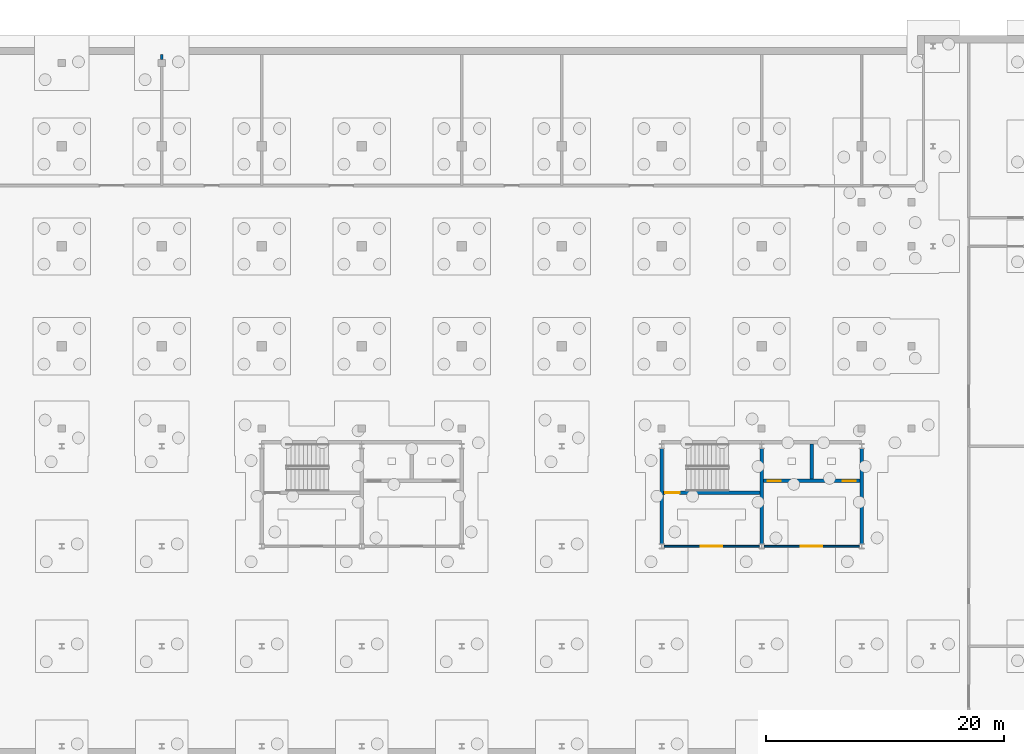
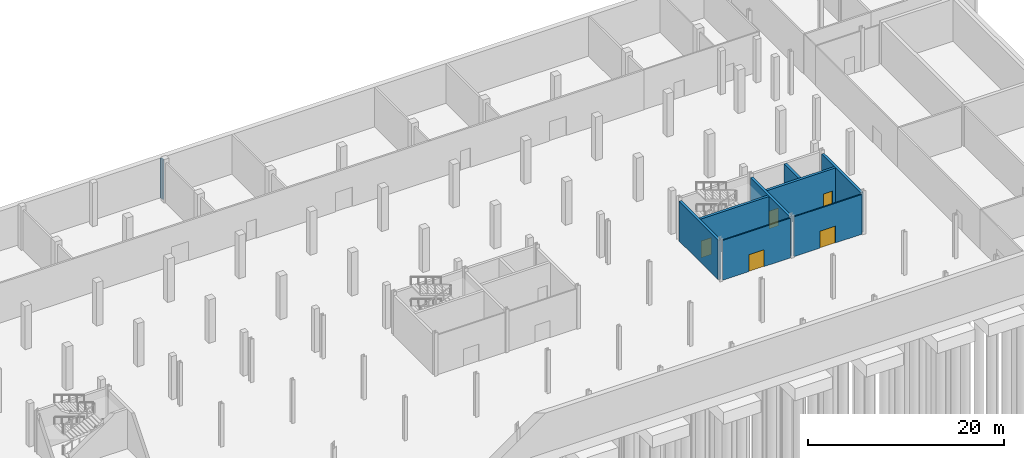
# One storey, part 20 of 29: 9 walls, 5 doors, 5 openings.
"""IFC4 building model written with IfcOpenShell, lengths in metres."""

from ifc_helpers import new_model, si_unit, direction, frame, frame_2d, origin, place, context, subcontext, project, spatial, rectangle, extrude, material, layer, layer_set, type_object, element, fill, save


model = new_model("IFC4")

# Units and contexts
model_context = context("Model", 3, precision=1e-05, world=origin(), true_north=direction((0.0, 1.0)))
body_context = subcontext(model_context, "Body", "Model", "MODEL_VIEW")
ifc_project = project(units=[si_unit("LENGTHUNIT", "METRE"), si_unit("AREAUNIT", "SQUARE_METRE"), si_unit("VOLUMEUNIT", "CUBIC_METRE"), si_unit("PLANEANGLEUNIT", "RADIAN"), si_unit("MASSUNIT", "GRAM", prefix="KILO")], contexts=[model_context])

# Site, building, storey
site_placement = place(None, origin())
site = spatial("IfcSite", under=ifc_project, at=site_placement, CompositionType="ELEMENT")
building_placement = place(site_placement, origin())
building = spatial("IfcBuilding", under=site, at=building_placement, Name="Cresset Court Congress Hotel", CompositionType="ELEMENT")
storey_placement = place(building_placement, frame((0.0, 0.0, -5.39990234375)))
storey = spatial("IfcBuildingStorey", under=building, at=storey_placement, Name="B1", CompositionType="ELEMENT", Elevation=-5.39990234375)

# Wall, opening, door
ifc_material_1 = material(Name="Concrete masonry", Category="masonry")
ifc_layer_1 = layer(ifc_material_1, 0.14990234375)
ifc_layer_set_1 = layer_set([ifc_layer_1], Name="Basement partition 150")
wall_type_1 = type_object("IfcWallType", Name="Basement partition 150", PredefinedType="PARTITIONING", material=ifc_layer_set_1)
wall_1_placement = place(storey_placement, frame((134.60009765625, 16.800048828125, 0.0), z_axis=(0.0, 0.0, 1.0), x_axis=(1.0, 0.0, 0.0)))
wall_1 = element("IfcWall", 1, at=wall_1_placement, inside=storey, type_object=wall_type_1, Name="S.wall.B1.P009", PredefinedType="PARTITIONING", context=body_context, shape_type="SweptSolid", body=[
    extrude(rectangle(XDim=8.0, YDim=0.14990234375, at=frame_2d((4.0, 0.0))), origin(), (0.0, 0.0, 1.0), 4.949951171875),
])
opening_1_placement = place(wall_1_placement, frame((3.10009765625, 0.0, 0.0)))
opening_1 = element("IfcOpeningElement", 2, at=opening_1_placement, cuts=wall_1, Name="Opening DS-B1-10", PredefinedType="OPENING", context=body_context, shape_type="SweptSolid", body=[
    extrude(rectangle(XDim=1.800048828125, YDim=2.10009765625, at=frame_2d((0.89990234375, 1.050048828125))), frame((0.0, 0.0849609375, 0.0), z_axis=(0.0, -1.0, 0.0), x_axis=(1.0, 0.0, 0.0)), (0.0, 0.0, 1.0), 0.169921875),
])
ifc_material_2 = material(Name="Steel", Category="steel")
door_type_1 = type_object("IfcDoorType", Name="Basement lobby door 1800x2100", OperationType="DOUBLE_DOOR_SINGLE_SWING", PredefinedType="DOOR", material=ifc_material_2)
door_1_placement = place(opening_1_placement, origin())
door_1 = element("IfcDoor", 3, at=door_1_placement, inside=storey, type_object=door_type_1, Name="Door DS-B1-10", OperationType="DOUBLE_DOOR_SINGLE_SWING", OverallHeight=2.10009765625, OverallWidth=1.800048828125, PredefinedType="DOOR", context=body_context, shape_type="SweptSolid", body=[
    extrude(rectangle(XDim=1.800048828125, YDim=2.10009765625, at=frame_2d((0.89990234375, 1.050048828125))), frame((0.0, 0.02490234375, 0.0), z_axis=(0.0, -1.0, 0.0), x_axis=(1.0, 0.0, 0.0)), (0.0, 0.0, 1.0), 0.050048828125),
])
fill(opening_1, door_1)

wall_2_placement = place(storey_placement, frame((143.0, 16.800048828125, 0.0), z_axis=(0.0, 0.0, 1.0), x_axis=(1.0, 0.0, 0.0)))
wall_2 = element("IfcWall", 4, at=wall_2_placement, inside=storey, type_object=wall_type_1, Name="S.wall.B1.P010", PredefinedType="PARTITIONING", context=body_context, shape_type="SweptSolid", body=[
    extrude(rectangle(XDim=8.0, YDim=0.14990234375, at=frame_2d((4.0, 0.0))), origin(), (0.0, 0.0, 1.0), 4.949951171875),
])
opening_2_placement = place(wall_2_placement, frame((3.10009765625, 0.0, 0.0)))
opening_2 = element("IfcOpeningElement", 5, at=opening_2_placement, cuts=wall_2, Name="Opening DS-B1-11", PredefinedType="OPENING", context=body_context, shape_type="SweptSolid", body=[
    extrude(rectangle(XDim=1.800048828125, YDim=2.10009765625, at=frame_2d((0.89990234375, 1.050048828125))), frame((0.0, 0.0849609375, 0.0), z_axis=(0.0, -1.0, 0.0), x_axis=(1.0, 0.0, 0.0)), (0.0, 0.0, 1.0), 0.169921875),
])
door_2_placement = place(opening_2_placement, origin())
door_2 = element("IfcDoor", 6, at=door_2_placement, inside=storey, type_object=door_type_1, Name="Door DS-B1-11", OperationType="DOUBLE_DOOR_SINGLE_SWING", OverallHeight=2.10009765625, OverallWidth=1.800048828125, PredefinedType="DOOR", context=body_context, shape_type="SweptSolid", body=[
    extrude(rectangle(XDim=1.800048828125, YDim=2.10009765625, at=frame_2d((0.89990234375, 1.050048828125))), frame((0.0, 0.02490234375, 0.0), z_axis=(0.0, -1.0, 0.0), x_axis=(1.0, 0.0, 0.0)), (0.0, 0.0, 1.0), 0.050048828125),
])
fill(opening_2, door_2)

# Walls
ifc_material_3 = material(Name="Concrete C50", Category="concrete")
ifc_layer_2 = layer(ifc_material_3, 0.300048828125)
ifc_layer_set_2 = layer_set([ifc_layer_2], Name="Core wall 300 Concrete C50")
wall_type_2 = type_object("IfcWallType", Name="Core wall 300 Concrete C50", PredefinedType="SHEAR", material=ifc_layer_set_2)
for number, where, z_axis, x_axis, name in (
    (7, (142.800048828125, 17.0, 0.0), (0.0, 0.0, 1.0), (0.0, 1.0, 0.0), "Core wall LC-B3"),
    (8, (151.199951171875, 17.0, 0.0), (0.0, 0.0, 1.0), (0.0, 1.0, 0.0), "Core wall LC-B3"),
):
    element("IfcWall", number, at=place(storey_placement, frame(where, z_axis=z_axis, x_axis=x_axis)), inside=storey, type_object=wall_type_2, Name=name, PredefinedType="SHEAR", context=body_context, shape_type="SweptSolid", body=[
        extrude(rectangle(XDim=8.0, YDim=0.300048828125, at=frame_2d((4.0, 0.0))), origin(), (0.0, 0.0, 1.0), 4.949951171875),
    ])

# Wall, openings, doors
wall_3_placement = place(storey_placement, frame((142.949951171875, 22.300048828125, 0.0), z_axis=(0.0, 0.0, 1.0), x_axis=(1.0, 0.0, 0.0)))
wall_3 = element("IfcWall", 9, at=wall_3_placement, inside=storey, type_object=wall_type_2, Name="Core wall LC-B3", PredefinedType="SHEAR", context=body_context, shape_type="SweptSolid", body=[
    extrude(rectangle(XDim=8.10009765625, YDim=0.300048828125, at=frame_2d((4.050048828125, 0.0))), origin(), (0.0, 0.0, 1.0), 4.949951171875),
])
opening_3_placement = place(wall_3_placement, frame((0.35009765625, 0.0, 0.0)))
opening_3 = element("IfcOpeningElement", 10, at=opening_3_placement, cuts=wall_3, Name="Opening LD-B3-01", PredefinedType="OPENING", context=body_context, shape_type="SweptSolid", body=[
    extrude(rectangle(XDim=1.10009765625, YDim=2.199951171875, at=frame_2d((0.550048828125, 1.10009765625))), frame((0.0, 0.159912109375, 0.0), z_axis=(0.0, -1.0, 0.0), x_axis=(1.0, 0.0, 0.0)), (0.0, 0.0, 1.0), 0.320068359375),
])
opening_4_placement = place(wall_3_placement, frame((6.64990234375, 0.0, 0.0)))
opening_4 = element("IfcOpeningElement", 11, at=opening_4_placement, cuts=wall_3, Name="Opening LD-B3-02", PredefinedType="OPENING", context=body_context, shape_type="SweptSolid", body=[
    extrude(rectangle(XDim=1.10009765625, YDim=2.199951171875, at=frame_2d((0.550048828125, 1.10009765625))), frame((0.0, 0.159912109375, 0.0), z_axis=(0.0, -1.0, 0.0), x_axis=(1.0, 0.0, 0.0)), (0.0, 0.0, 1.0), 0.320068359375),
])
ifc_material_4 = material(Name="Stainless steel", Category="steel")
door_type_2 = type_object("IfcDoorType", Name="Lift landing door sliding 1100x2200", OperationType="SLIDING_TO_LEFT", PredefinedType="DOOR", material=ifc_material_4)
door_3_placement = place(opening_3_placement, origin())
door_3 = element("IfcDoor", 12, at=door_3_placement, inside=storey, type_object=door_type_2, Name="Lift landing door LD-B3-01", OperationType="SLIDING_TO_LEFT", OverallHeight=2.199951171875, OverallWidth=1.10009765625, PredefinedType="DOOR", context=body_context, shape_type="SweptSolid", body=[
    extrude(rectangle(XDim=1.10009765625, YDim=2.199951171875, at=frame_2d((0.550048828125, 1.10009765625))), frame((0.0, 0.02490234375, 0.0), z_axis=(0.0, -1.0, 0.0), x_axis=(1.0, 0.0, 0.0)), (0.0, 0.0, 1.0), 0.050048828125),
])
fill(opening_3, door_3)
door_4_placement = place(opening_4_placement, origin())
door_4 = element("IfcDoor", 13, at=door_4_placement, inside=storey, type_object=door_type_2, Name="Lift landing door LD-B3-02", OperationType="SLIDING_TO_LEFT", OverallHeight=2.199951171875, OverallWidth=1.10009765625, PredefinedType="DOOR", context=body_context, shape_type="SweptSolid", body=[
    extrude(rectangle(XDim=1.10009765625, YDim=2.199951171875, at=frame_2d((0.550048828125, 1.10009765625))), frame((0.0, 0.02490234375, 0.0), z_axis=(0.0, -1.0, 0.0), x_axis=(1.0, 0.0, 0.0)), (0.0, 0.0, 1.0), 0.050048828125),
])
fill(opening_4, door_4)

# Walls
wall_4_placement = place(storey_placement, frame((147.0, 22.449951171875, 0.0), z_axis=(0.0, 0.0, 1.0), x_axis=(0.0, 1.0, 0.0)))
element("IfcWall", 14, at=wall_4_placement, inside=storey, type_object=wall_type_2, Name="Core wall LC-B3", PredefinedType="SHEAR", context=body_context, shape_type="SweptSolid", body=[
    extrude(rectangle(XDim=2.949951171875, YDim=0.300048828125, at=frame_2d((1.47509765625, 0.0))), origin(), (0.0, 0.0, 1.0), 4.949951171875),
])
wall_5_placement = place(storey_placement, frame((134.39990234375, 17.0, 0.0), z_axis=(0.0, 0.0, 1.0), x_axis=(0.0, 1.0, 0.0)))
element("IfcWall", 15, at=wall_5_placement, inside=storey, type_object=wall_type_2, Name="Core wall ST-B5", PredefinedType="SHEAR", context=body_context, shape_type="SweptSolid", body=[
    extrude(rectangle(XDim=8.0, YDim=0.300048828125, at=frame_2d((4.0, 0.0))), origin(), (0.0, 0.0, 1.0), 4.949951171875),
])

# Wall, opening, door
wall_6_placement = place(storey_placement, frame((134.550048828125, 21.300048828125, 0.0), z_axis=(0.0, 0.0, 1.0), x_axis=(1.0, 0.0, 0.0)))
wall_6 = element("IfcWall", 16, at=wall_6_placement, inside=storey, type_object=wall_type_2, Name="Core wall ST-B5", PredefinedType="SHEAR", context=body_context, shape_type="SweptSolid", body=[
    extrude(rectangle(XDim=8.099853515625, YDim=0.300048828125, at=frame_2d((4.0498046875, 0.0))), origin(), (0.0, 0.0, 1.0), 4.949951171875),
])
opening_5_placement = place(wall_6_placement, frame((0.14990234375, 0.0, 0.0)))
opening_5 = element("IfcOpeningElement", 17, at=opening_5_placement, cuts=wall_6, Name="Opening DB-1-11", PredefinedType="OPENING", context=body_context, shape_type="SweptSolid", body=[
    extrude(rectangle(XDim=1.199951171875, YDim=2.10009765625, at=frame_2d((0.60009765625, 1.050048828125))), frame((0.0, 0.159912109375, 0.0), z_axis=(0.0, -1.0, 0.0), x_axis=(1.0, 0.0, 0.0)), (0.0, 0.0, 1.0), 0.320068359375),
])
ifc_material_5 = material(Name="Timber and steel frame", Category="steel")
door_type_3 = type_object("IfcDoorType", Name="Stair fire door FD60 1200x2100", OperationType="SINGLE_SWING_LEFT", PredefinedType="DOOR", material=ifc_material_5)
door_5_placement = place(opening_5_placement, origin())
door_5 = element("IfcDoor", 18, at=door_5_placement, inside=storey, type_object=door_type_3, Name="Stair door ST-B5", OperationType="SINGLE_SWING_LEFT", OverallHeight=2.10009765625, OverallWidth=1.199951171875, PredefinedType="DOOR", context=body_context, shape_type="SweptSolid", body=[
    extrude(rectangle(XDim=1.199951171875, YDim=2.10009765625, at=frame_2d((0.60009765625, 1.050048828125))), frame((0.0, 0.02490234375, 0.0), z_axis=(0.0, -1.0, 0.0), x_axis=(1.0, 0.0, 0.0)), (0.0, 0.0, 1.0), 0.050048828125),
])
fill(opening_5, door_5)

# Wall
ifc_material_6 = material(Name="Concrete C35", Category="concrete")
ifc_layer_3 = layer(ifc_material_6, 0.199951171875)
ifc_layer_set_3 = layer_set([ifc_layer_3], Name="Plant room wall 200")
wall_type_3 = type_object("IfcWallType", Name="Plant room wall 200", PredefinedType="PARTITIONING", material=ifc_layer_set_3)
wall_7_placement = place(storey_placement, frame((92.39990234375, 57.699951171875, 0.0), z_axis=(0.0, 0.0, 1.0), x_axis=(0.0, 1.0, 0.0)))
element("IfcWall", 19, at=wall_7_placement, inside=storey, type_object=wall_type_3, Name="S.wall.B1.P034", PredefinedType="PARTITIONING", context=body_context, shape_type="SweptSolid", body=[
    extrude(rectangle(XDim=0.400146484375, YDim=0.199951171875, at=frame_2d((0.2001953125, 0.0))), origin(), (0.0, 0.0, 1.0), 4.949951171875),
])

save(model, "model.ifc")
